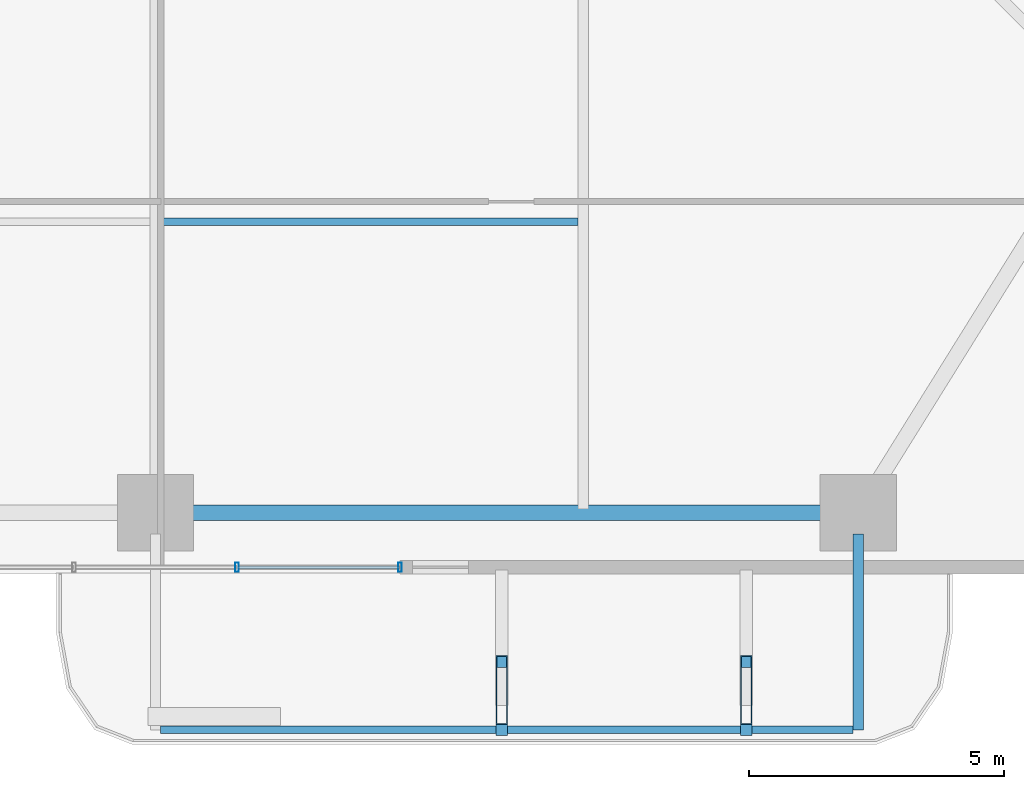
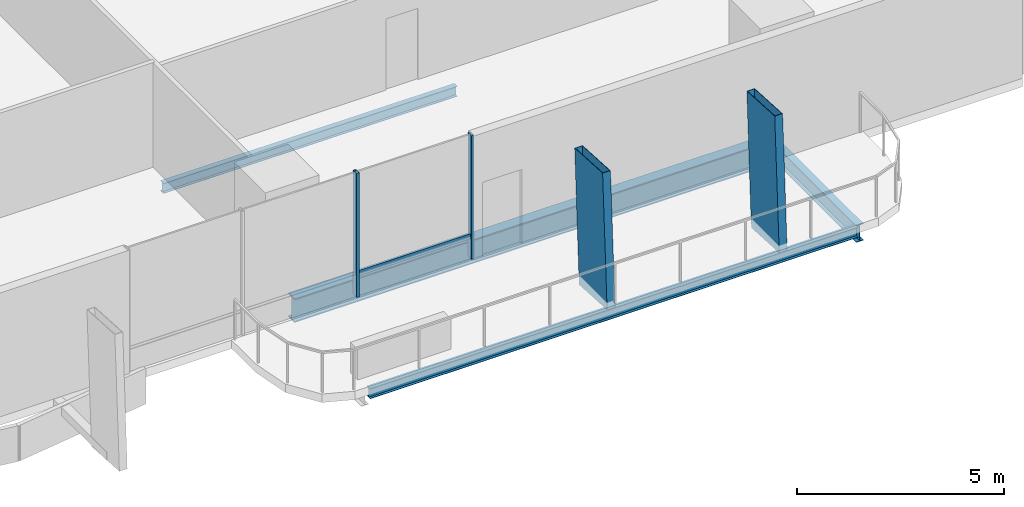
# One storey, part 6 of 24: 5 members, 4 beams, 1 element without a shape of its own.
"""IFC4 building model written with IfcOpenShell, lengths in metres."""

from ifc_helpers import new_model, si_unit, direction, frame, origin, origin_2d, place, context, subcontext, project, spatial, hollow_rectangle, i_section, extrude, material, layer, layer_set, material_profile, profile_set, type_object, element, aggregate, save


model = new_model("IFC4")

# Units and contexts
model_context = context("Model", 3, precision=1e-05, world=origin(), true_north=direction((0.0, 1.0)))
body_context = subcontext(model_context, "Body", "Model", "MODEL_VIEW")
ifc_project = project(units=[si_unit("LENGTHUNIT", "METRE"), si_unit("AREAUNIT", "SQUARE_METRE"), si_unit("VOLUMEUNIT", "CUBIC_METRE"), si_unit("PLANEANGLEUNIT", "RADIAN"), si_unit("MASSUNIT", "GRAM", prefix="KILO")], contexts=[model_context])

# Site, building, storey
site_placement = place(None, origin())
site = spatial("IfcSite", under=ifc_project, at=site_placement, CompositionType="ELEMENT")
building_placement = place(site_placement, origin())
building = spatial("IfcBuilding", under=site, at=building_placement, Name="Belovzor Exchange Tower", CompositionType="ELEMENT")
storey_placement = place(building_placement, frame((0.0, 0.0, 49.5)))
storey = spatial("IfcBuildingStorey", under=building, at=storey_placement, Name="L11", CompositionType="ELEMENT", Elevation=49.5)

# Members
ifc_material_1 = material(Name="Extruded Architectural Terracotta on Steel S355 Carrier", Category="masonry")
ifc_material_profile_1 = material_profile(ifc_material_1, hollow_rectangle(XDim=0.219970703125, YDim=1.35009765625, WallThickness=0.013916015625, at=origin_2d()))
ifc_profile_set_1 = profile_set([ifc_material_profile_1], Name="Extruded Architectural Terracotta on Steel S355 Carrier")
member_type_1 = type_object("IfcMemberType", Name="Base Arc Sweeping Terracotta Pylon Fin 1450", PredefinedType="USERDEFINED", material=ifc_profile_set_1)
for number, where, z_axis, x_axis, name in (
    (1, (35.60009765625, -1.597900390625, -0.25), (0.0, 0.056065425443, 0.998427097023), (-1.0, 0.0, 0.0), "FIN-TC145 Terracotta Facade Fin L11 S3"),
    (2, (40.39990234375, -1.597900390625, -0.25), (0.0, 0.056065425443, 0.998427097023), (-1.0, 0.0, 0.0), "FIN-TC145 Terracotta Facade Fin L11 S4"),
):
    element("IfcMember", number, at=place(storey_placement, frame(where, z_axis=z_axis, x_axis=x_axis)), inside=storey, type_object=member_type_1, Name=name, ObjectType="FIN", PredefinedType="USERDEFINED", context=body_context, shape_type="SweptSolid", body=[
        extrude(hollow_rectangle(XDim=0.219970703125, YDim=1.35009765625, WallThickness=0.013916015625, at=origin_2d()), origin(), (0.0, 0.0, 1.0), 3.906005859375),
    ])

# Beams
ifc_material_2 = material(Name="Steel S355", Category="steel")
ifc_material_profile_2 = material_profile(ifc_material_2, i_section(OverallWidth=0.199951171875, OverallDepth=0.5, WebThickness=0.01025390625, FlangeThickness=0.01611328125, at=origin_2d()))
ifc_profile_set_2 = profile_set([ifc_material_profile_2], Name="Steel S355")
beam_type_1 = type_object("IfcBeamType", Name="Planted Balcony Cantilever Beam IPE 500", PredefinedType="BEAM", material=ifc_profile_set_2)
beam_1_placement = place(storey_placement, frame((42.60009765625, 1.68798828125, -0.5), z_axis=(0.0, -1.0, 0.0), x_axis=(1.0, 0.0, 0.0)))
element("IfcBeam", 3, at=beam_1_placement, inside=storey, type_object=beam_type_1, Name="BC-500 Planted Balcony Cantilever Beam IPE 500", PredefinedType="BEAM", context=body_context, shape_type="SweptSolid", body=[
    extrude(i_section(OverallWidth=0.199951171875, OverallDepth=0.5, WebThickness=0.01025390625, FlangeThickness=0.01611328125, at=origin_2d()), origin(), (0.0, 0.0, 1.0), 3.85009765625),
])
ifc_material_3 = material(Name="Steel S355", Category="steel")
ifc_material_profile_3 = material_profile(ifc_material_3, i_section(OverallWidth=0.14990234375, OverallDepth=0.300048828125, WebThickness=0.007080078125, FlangeThickness=0.0107421875, at=origin_2d()))
ifc_profile_set_3 = profile_set([ifc_material_profile_3], Name="Steel S355")
beam_type_2 = type_object("IfcBeamType", Name="Planted Balcony Fascia Edge Beam IPE 300", PredefinedType="BEAM", material=ifc_profile_set_3)
beam_2_placement = place(storey_placement, frame((28.89990234375, -2.162109375, -0.39990234375), z_axis=(1.0, 0.0, 0.0), x_axis=(0.0, 1.0, 0.0)))
element("IfcBeam", 4, at=beam_2_placement, inside=storey, type_object=beam_type_2, Name="BC-300 Planted Balcony Fascia Edge Beam IPE 300", PredefinedType="BEAM", context=body_context, shape_type="SweptSolid", body=[
    extrude(i_section(OverallWidth=0.14990234375, OverallDepth=0.300048828125, WebThickness=0.007080078125, FlangeThickness=0.0107421875, at=origin_2d()), origin(), (0.0, 0.0, 1.0), 13.60009765625),
])
ifc_material_4 = material(Name="Steel S355", Category="steel")
ifc_material_profile_4 = material_profile(ifc_material_4, i_section(OverallWidth=0.14990234375, OverallDepth=0.300048828125, WebThickness=0.007080078125, FlangeThickness=0.0107421875, at=origin_2d()))
ifc_profile_set_4 = profile_set([ifc_material_profile_4], Name="Steel S355")
beam_type_3 = type_object("IfcBeamType", Name="Secondary Trim Floor Joist IPE 300", PredefinedType="BEAM", material=ifc_profile_set_4)
beam_3_placement = place(storey_placement, frame((28.905029296875, 7.81494140625, -0.39990234375), z_axis=(1.0, 0.0, 0.0), x_axis=(0.0, 1.0, 0.0)))
element("IfcBeam", 5, at=beam_3_placement, inside=storey, type_object=beam_type_3, Name="FJ-300 Secondary Trim Floor Joist IPE 300", PredefinedType="BEAM", context=body_context, shape_type="SweptSolid", body=[
    extrude(i_section(OverallWidth=0.14990234375, OverallDepth=0.300048828125, WebThickness=0.007080078125, FlangeThickness=0.0107421875, at=origin_2d()), origin(), (0.0, 0.0, 1.0), 8.18994140625),
])

# Curtain wall, members
ifc_material_5 = material(Name="Anodised Aluminium Framing", Category="aluminium")
ifc_layer = layer(ifc_material_5, 0.179931640625)
ifc_layer_set = layer_set([ifc_layer], Name="Anodised Aluminium Framing")
curtain_wall_type = type_object("IfcCurtainWallType", Name="Recessed Loggia Low-Iron Triple-Glazed Curtain Wall", PredefinedType="NOTDEFINED", material=ifc_layer_set)
curtain_wall_placement = place(storey_placement, origin())
curtain_wall = element("IfcCurtainWall", 6, at=curtain_wall_placement, inside=storey, type_object=curtain_wall_type, Name="CW3 Recessed Loggia Low-Iron Triple-Glazed Curtain Wall L11", PredefinedType="NOTDEFINED")
ifc_material_6 = material(Name="Steel S355", Category="steel")
ifc_material_profile_5 = material_profile(ifc_material_6, hollow_rectangle(XDim=0.074951171875, YDim=0.179931640625, WallThickness=0.0048828125, at=origin_2d()))
ifc_profile_set_5 = profile_set([ifc_material_profile_5], Name="Steel S355")
member_type_2 = type_object("IfcMemberType", Name="Thermally Broken Curtain Wall Mullion 180x75", PredefinedType="MULLION", material=ifc_profile_set_5)
member_1_placement = place(storey_placement, frame((33.60009765625, 1.030029296875, 0.0), z_axis=(0.0, 0.0, 1.0), x_axis=(-1.0, 0.0, 0.0)))
member_1 = element("IfcMember", 7, at=member_1_placement, type_object=member_type_2, Name="CW-M180 Curtain Wall Mullion 1", PredefinedType="MULLION", context=body_context, shape_type="SweptSolid", body=[
    extrude(hollow_rectangle(XDim=0.074951171875, YDim=0.179931640625, WallThickness=0.0048828125, at=origin_2d()), origin(), (0.0, 0.0, 1.0), 3.64990234375),
])
member_2_placement = place(storey_placement, frame((30.39990234375, 1.030029296875, 0.0), z_axis=(0.0, 0.0, 1.0), x_axis=(-1.0, 0.0, 0.0)))
member_2 = element("IfcMember", 8, at=member_2_placement, type_object=member_type_2, Name="CW-M180 Curtain Wall Mullion 2", PredefinedType="MULLION", context=body_context, shape_type="SweptSolid", body=[
    extrude(hollow_rectangle(XDim=0.074951171875, YDim=0.179931640625, WallThickness=0.0048828125, at=origin_2d()), origin(), (0.0, 0.0, 1.0), 3.64990234375),
])
ifc_material_7 = material(Name="Steel S355", Category="steel")
ifc_material_profile_6 = material_profile(ifc_material_7, hollow_rectangle(XDim=0.06005859375, YDim=0.14990234375, WallThickness=0.00390625, at=origin_2d()))
ifc_profile_set_6 = profile_set([ifc_material_profile_6], Name="Steel S355")
member_type_3 = type_object("IfcMemberType", Name="Thermally Broken Curtain Wall Transom 150x60", PredefinedType="USERDEFINED", material=ifc_profile_set_6)
member_3_placement = place(storey_placement, frame((33.592041015625, 1.030029296875, 0.64990234375), z_axis=(-1.0, 0.0, 0.0), x_axis=(0.0, -1.0, 0.0)))
member_3 = element("IfcMember", 9, at=member_3_placement, type_object=member_type_3, Name="CW-T150 Curtain Wall Transom 1", ObjectType="TRANSOM", PredefinedType="USERDEFINED", context=body_context, shape_type="SweptSolid", body=[
    extrude(hollow_rectangle(XDim=0.06005859375, YDim=0.14990234375, WallThickness=0.00390625, at=origin_2d()), origin(), (0.0, 0.0, 1.0), 3.18408203125),
])
aggregate(curtain_wall, [member_1, member_2, member_3])

# Beam
ifc_material_8 = material(Name="Steel S355", Category="steel")
ifc_material_profile_7 = material_profile(ifc_material_8, i_section(OverallWidth=0.300048828125, OverallDepth=0.699951171875, WebThickness=0.01708984375, FlangeThickness=0.031982421875, at=origin_2d()))
ifc_profile_set_7 = profile_set([ifc_material_profile_7], Name="Steel S355")
beam_type_4 = type_object("IfcBeamType", Name="Zone 1 Primary Perimeter Girder HEB 700", PredefinedType="BEAM", material=ifc_profile_set_7)
beam_4_placement = place(storey_placement, frame((29.212890625, 2.10009765625, -0.60009765625), z_axis=(1.0, 0.0, 0.0), x_axis=(0.0, 1.0, 0.0)))
element("IfcBeam", 10, at=beam_4_placement, inside=storey, type_object=beam_type_4, Name="FG-Z1 Zone 1 Primary Perimeter Girder HEB 700", PredefinedType="BEAM", context=body_context, shape_type="SweptSolid", body=[
    extrude(i_section(OverallWidth=0.300048828125, OverallDepth=0.699951171875, WebThickness=0.01708984375, FlangeThickness=0.031982421875, at=origin_2d()), origin(), (0.0, 0.0, 1.0), 12.97509765625),
])

save(model, "model.ifc")
